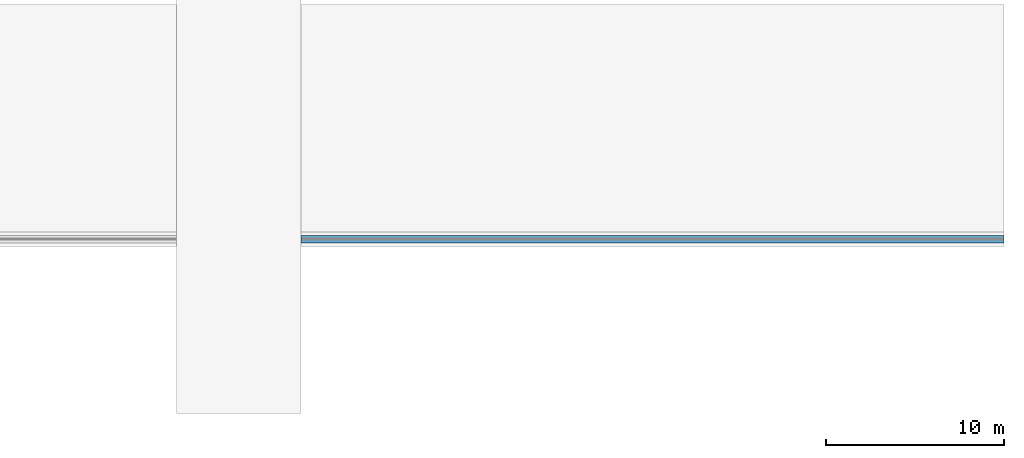
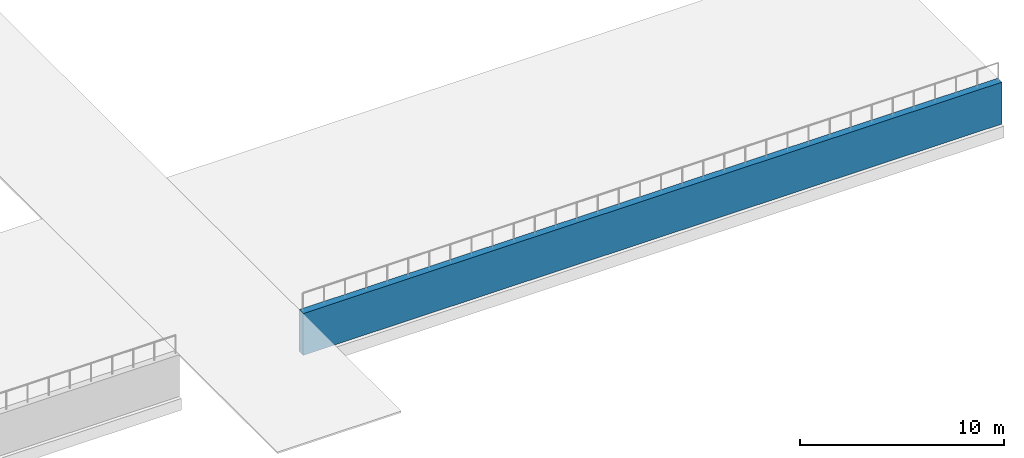
# One storey, part 27 of 60: 1 wall.
"""IFC4 building model written with IfcOpenShell, lengths in metres."""

from ifc_helpers import new_model, si_unit, direction, frame, frame_2d, origin, place, context, subcontext, project, spatial, rectangle, extrude, material, layer, layer_set, type_object, element, save


model = new_model("IFC4")

# Units and contexts
model_context = context("Model", 3, precision=1e-05, world=origin(), true_north=direction((0.0, 1.0)))
body_context = subcontext(model_context, "Body", "Model", "MODEL_VIEW")
ifc_project = project(units=[si_unit("LENGTHUNIT", "METRE"), si_unit("AREAUNIT", "SQUARE_METRE"), si_unit("VOLUMEUNIT", "CUBIC_METRE"), si_unit("PLANEANGLEUNIT", "RADIAN"), si_unit("MASSUNIT", "GRAM", prefix="KILO")], contexts=[model_context])

# Site, building, storey
site_placement = place(None, origin())
site = spatial("IfcSite", under=ifc_project, at=site_placement, CompositionType="ELEMENT")
building_placement = place(site_placement, origin())
building = spatial("IfcBuilding", under=site, at=building_placement, Name="Stone Belt Terrace Tower", CompositionType="ELEMENT")
storey_placement = place(building_placement, origin())
storey = spatial("IfcBuildingStorey", under=building, at=storey_placement, Name="L00", CompositionType="ELEMENT", Elevation=0.0)

# Wall
ifc_material = material(Name="Concrete B30", Category="concrete")
ifc_layer = layer(ifc_material, 0.39990234375)
ifc_layer_set = layer_set([ifc_layer], Name="Embankment retaining wall 400")
wall_type = type_object("IfcWallType", Name="Embankment retaining wall 400", PredefinedType="SOLIDWALL", material=ifc_layer_set)
wall_placement = place(storey_placement, frame((70.5, -125.199951171875, -2.5), z_axis=(0.0, 0.0, 1.0), x_axis=(1.0, 0.0, 0.0)))
element("IfcWall", 1, at=wall_placement, inside=storey, type_object=wall_type, Name="Embankment retaining wall", PredefinedType="SOLIDWALL", context=body_context, shape_type="SweptSolid", body=[
    extrude(rectangle(XDim=39.5, YDim=0.39990234375, at=frame_2d((19.75, 0.0))), origin(), (0.0, 0.0, 1.0), 2.5),
])

save(model, "model.ifc")
